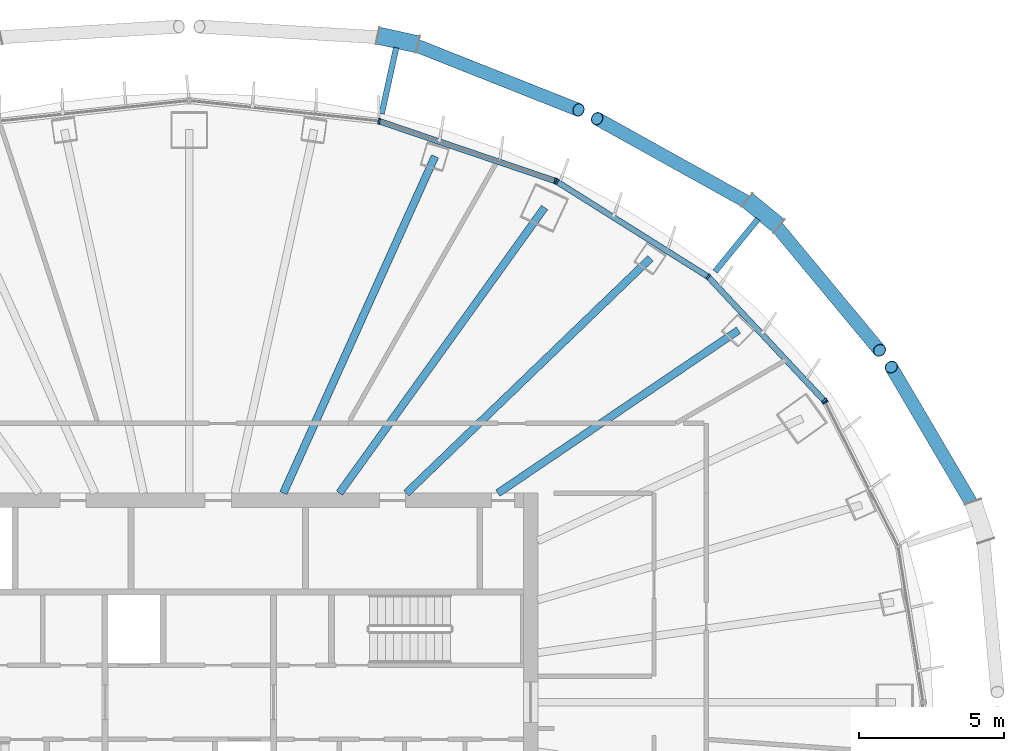
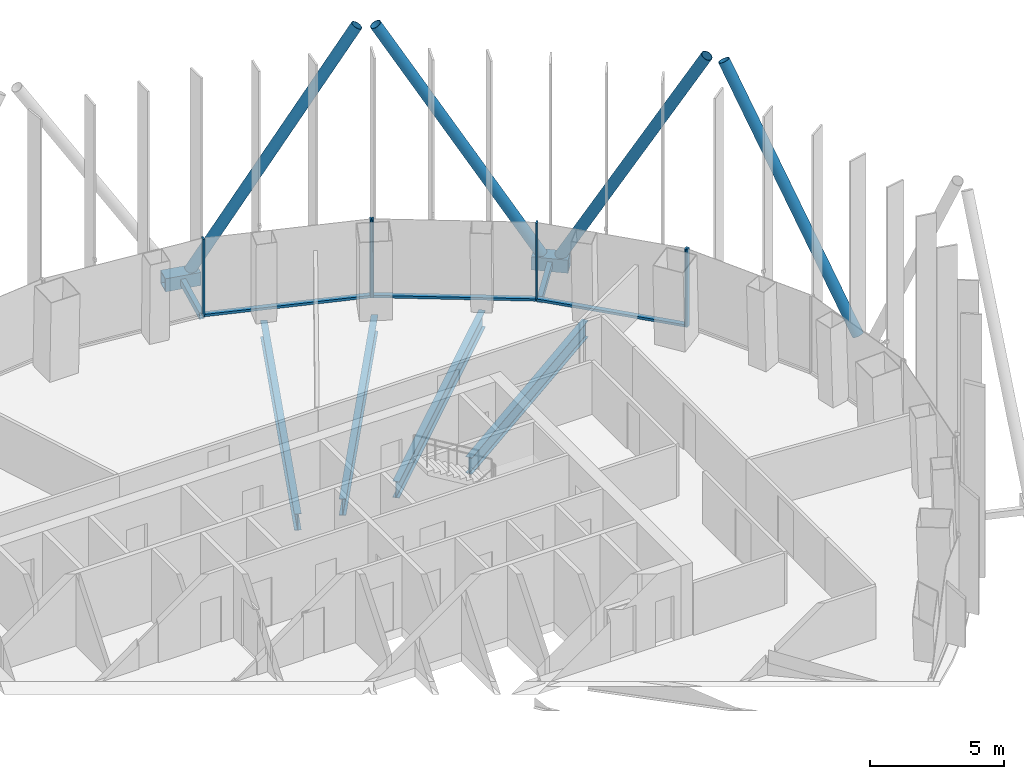
# One storey, part 6 of 19: 17 members, 4 beams, 3 elements without a shape of their own.
"""IFC4 building model written with IfcOpenShell, lengths in metres."""

from ifc_helpers import new_model, si_unit, direction, frame, origin, origin_2d, place, context, subcontext, project, spatial, rectangle, hollow_rectangle, hollow_circle, i_section, extrude, material, layer, layer_set, material_profile, profile_set, type_object, element, aggregate, save


model = new_model("IFC4")

# Units and contexts
model_context = context("Model", 3, precision=1e-05, world=origin(), true_north=direction((0.0, 1.0)))
body_context = subcontext(model_context, "Body", "Model", "MODEL_VIEW")
ifc_project = project(units=[si_unit("LENGTHUNIT", "METRE"), si_unit("AREAUNIT", "SQUARE_METRE"), si_unit("VOLUMEUNIT", "CUBIC_METRE"), si_unit("PLANEANGLEUNIT", "RADIAN"), si_unit("MASSUNIT", "GRAM", prefix="KILO")], contexts=[model_context])

# Site, building, storey
site_placement = place(None, origin())
site = spatial("IfcSite", under=ifc_project, at=site_placement, CompositionType="ELEMENT")
building_placement = place(site_placement, origin())
building = spatial("IfcBuilding", under=site, at=building_placement, Name="Siaravel Broadcast Tower", CompositionType="ELEMENT")
storey_placement = place(building_placement, frame((0.0, 0.0, 119.300048828125)))
storey = spatial("IfcBuildingStorey", under=building, at=storey_placement, Name="L28", CompositionType="ELEMENT", Elevation=119.300048828125)

# Beams
ifc_material_1 = material(Name="Steel S355", Category="steel")
ifc_material_profile_1 = material_profile(ifc_material_1, i_section(OverallWidth=0.26513671875, OverallDepth=0.75390625, WebThickness=0.0126953125, FlangeThickness=0.017578125, FilletRadius=0.0166015625, at=origin_2d()))
ifc_profile_set_1 = profile_set([ifc_material_profile_1], Name="Steel S355")
beam_type = type_object("IfcBeamType", Name="BM-UB 762x267x147", PredefinedType="BEAM", material=ifc_profile_set_1)
beam_1_placement = place(storey_placement, frame((18.90869140625, 12.80810546875, -0.527099609375), z_axis=(-0.827929661, -0.56083195, 0.0), x_axis=(0.56083195, -0.827929661, 0.0)))
element("IfcBeam", 1, at=beam_1_placement, inside=storey, type_object=beam_type, Name="Radial beam RB05", PredefinedType="BEAM", context=body_context, shape_type="SweptSolid", body=[
    extrude(i_section(OverallWidth=0.26513671875, OverallDepth=0.75390625, WebThickness=0.0126953125, FlangeThickness=0.017578125, FilletRadius=0.0166015625, at=origin_2d()), origin(), (0.0, 0.0, 1.0), 9.999755859375),
])
beam_2_placement = place(storey_placement, frame((15.882080078125, 15.286865234375, -0.527099609375), z_axis=(-0.720471293, -0.693484762, 0.0), x_axis=(0.693484762, -0.720471293, 0.0)))
element("IfcBeam", 2, at=beam_2_placement, inside=storey, type_object=beam_type, Name="Radial beam RB06", PredefinedType="BEAM", context=body_context, shape_type="SweptSolid", body=[
    extrude(i_section(OverallWidth=0.26513671875, OverallDepth=0.75390625, WebThickness=0.0126953125, FlangeThickness=0.017578125, FilletRadius=0.0166015625, at=origin_2d()), origin(), (0.0, 0.0, 1.0), 11.661376953125),
])
beam_3_placement = place(storey_placement, frame((12.236328125, 17.032958984375, -0.527099609375), z_axis=(-0.583444902, -0.812152723, 0.0), x_axis=(0.812152723, -0.583444902, 0.0)))
element("IfcBeam", 3, at=beam_3_placement, inside=storey, type_object=beam_type, Name="Radial beam RB07", PredefinedType="BEAM", context=body_context, shape_type="SweptSolid", body=[
    extrude(i_section(OverallWidth=0.26513671875, OverallDepth=0.75390625, WebThickness=0.0126953125, FlangeThickness=0.017578125, FilletRadius=0.0166015625, at=origin_2d()), origin(), (0.0, 0.0, 1.0), 12.107421875),
])
beam_4_placement = place(storey_placement, frame((8.46337890625, 18.794189453125, -0.527099609375), z_axis=(-0.410612147, -0.911810103, 0.0), x_axis=(0.911810103, -0.410612147, 0.0)))
element("IfcBeam", 4, at=beam_4_placement, inside=storey, type_object=beam_type, Name="Radial beam RB08", PredefinedType="BEAM", context=body_context, shape_type="SweptSolid", body=[
    extrude(i_section(OverallWidth=0.26513671875, OverallDepth=0.75390625, WebThickness=0.0126953125, FlangeThickness=0.017578125, FilletRadius=0.0166015625, at=origin_2d()), origin(), (0.0, 0.0, 1.0), 12.715576171875),
])

# Curtain wall, member
ifc_material_2 = material(Name="Aluminium 6063-T6", Category="aluminium")
ifc_layer = layer(ifc_material_2, 0.199951171875)
ifc_layer_set = layer_set([ifc_layer], Name="Aluminium 6063-T6")
curtain_wall_type = type_object("IfcCurtainWallType", Name="Unitised curtain wall, zone 2", PredefinedType="NOTDEFINED", material=ifc_layer_set)
curtain_wall_1_placement = place(storey_placement, origin())
curtain_wall_1 = element("IfcCurtainWall", 5, at=curtain_wall_1_placement, inside=storey, type_object=curtain_wall_type, Name="L28 Unitised curtain wall, zone 2 01", PredefinedType="NOTDEFINED")
ifc_material_profile_2 = material_profile(ifc_material_2, rectangle(XDim=0.199951171875, YDim=0.06494140625, at=origin_2d()))
ifc_profile_set_2 = profile_set([ifc_material_profile_2], Name="Aluminium 6063-T6")
member_type_1 = type_object("IfcMemberType", Name="CW-Z2 mullion", PredefinedType="MULLION", material=ifc_profile_set_2)
member_1_placement = place(storey_placement, frame((21.897705078125, 10.329345703125, 0.0), z_axis=(0.0, 0.0, 1.0), x_axis=(-0.892391979, -0.451261073, 0.0)))
member_1 = element("IfcMember", 6, at=member_1_placement, type_object=member_type_1, Name="CW-Z2 mullion 3", PredefinedType="MULLION", context=body_context, shape_type="SweptSolid", body=[
    extrude(rectangle(XDim=0.199951171875, YDim=0.06494140625, at=origin_2d()), origin(), (0.0, 0.0, 1.0), 3.550048828125),
])
aggregate(curtain_wall_1, [member_1])

# Curtain wall, members
curtain_wall_2_placement = place(storey_placement, origin())
curtain_wall_2 = element("IfcCurtainWall", 7, at=curtain_wall_2_placement, inside=storey, type_object=curtain_wall_type, Name="L28 Unitised curtain wall, zone 2 02", PredefinedType="NOTDEFINED")
member_2_placement = place(storey_placement, frame((21.86083984375, 10.382080078125, 0.0), z_axis=(0.0, 0.0, 1.0), x_axis=(-0.729805105, -0.683655256, 0.0)))
member_2 = element("IfcMember", 8, at=member_2_placement, type_object=member_type_1, Name="CW-Z2 mullion 1", PredefinedType="MULLION", context=body_context, shape_type="SweptSolid", body=[
    extrude(rectangle(XDim=0.199951171875, YDim=0.06494140625, at=origin_2d()), origin(), (0.0, 0.0, 1.0), 3.550048828125),
])
member_3_placement = place(storey_placement, frame((17.86572265625, 14.646728515625, 0.0), z_axis=(0.0, 0.0, 1.0), x_axis=(-0.636218518, -0.771508909, 0.0)))
member_3 = element("IfcMember", 9, at=member_3_placement, type_object=member_type_1, Name="CW-Z2 mullion 2", PredefinedType="MULLION", context=body_context, shape_type="SweptSolid", body=[
    extrude(rectangle(XDim=0.199951171875, YDim=0.06494140625, at=origin_2d()), origin(), (0.0, 0.0, 1.0), 3.550048828125),
])
member_4_placement = place(storey_placement, frame((12.659423828125, 17.9189453125, 0.0), z_axis=(0.0, 0.0, 1.0), x_axis=(-0.532149141, -0.846650632, 0.0)))
member_4 = element("IfcMember", 10, at=member_4_placement, type_object=member_type_1, Name="CW-Z2 mullion 3", PredefinedType="MULLION", context=body_context, shape_type="SweptSolid", body=[
    extrude(rectangle(XDim=0.199951171875, YDim=0.06494140625, at=origin_2d()), origin(), (0.0, 0.0, 1.0), 3.550048828125),
])

curtain_wall_3_placement = place(storey_placement, origin())
curtain_wall_3 = element("IfcCurtainWall", 11, at=curtain_wall_3_placement, inside=storey, type_object=curtain_wall_type, Name="L28 Unitised curtain wall, zone 2 03", PredefinedType="NOTDEFINED")
member_5_placement = place(storey_placement, frame((12.60107421875, 17.94677734375, 0.0), z_axis=(0.0, 0.0, 1.0), x_axis=(-0.321300596, -0.946977258, 0.0)))
member_5 = element("IfcMember", 12, at=member_5_placement, type_object=member_type_1, Name="CW-Z2 mullion 1", PredefinedType="MULLION", context=body_context, shape_type="SweptSolid", body=[
    extrude(rectangle(XDim=0.199951171875, YDim=0.06494140625, at=origin_2d()), origin(), (0.0, 0.0, 1.0), 3.550048828125),
])
member_6_placement = place(storey_placement, frame((6.538330078125, 20.00390625, 0.0), z_axis=(0.0, 0.0, 1.0), x_axis=(-0.215558052, -0.976491027, 0.0)))
member_6 = element("IfcMember", 13, at=member_6_placement, type_object=member_type_1, Name="CW-Z2 mullion 2", PredefinedType="MULLION", context=body_context, shape_type="SweptSolid", body=[
    extrude(rectangle(XDim=0.199951171875, YDim=0.06494140625, at=origin_2d()), origin(), (0.0, 0.0, 1.0), 3.550048828125),
])

# Member
ifc_material_profile_3 = material_profile(ifc_material_2, rectangle(XDim=0.199951171875, YDim=0.110107421875, at=origin_2d()))
ifc_profile_set_3 = profile_set([ifc_material_profile_3], Name="Aluminium 6063-T6")
member_type_2 = type_object("IfcMemberType", Name="CW-Z2 transom", PredefinedType="USERDEFINED", material=ifc_profile_set_3)
member_7_placement = place(storey_placement, frame((21.83837890625, 10.40576171875, 0.054931640625), z_axis=(-0.683640317, 0.729819099, 0.0), x_axis=(-0.729819099, -0.683640317, 0.0)))
member_7 = element("IfcMember", 14, at=member_7_placement, type_object=member_type_2, Name="CW-Z2 transom 1", ObjectType="TRANSOM", PredefinedType="USERDEFINED", context=body_context, shape_type="SweptSolid", body=[
    extrude(rectangle(XDim=0.199951171875, YDim=0.110107421875, at=origin_2d()), origin(), (0.0, 0.0, 1.0), 5.778564453125),
])

member_8_placement = place(storey_placement, frame((17.838134765625, 14.6640625, 0.054931640625), z_axis=(-0.846658761, 0.532136207, 0.0), x_axis=(-0.532136207, -0.846658761, 0.0)))
member_8 = element("IfcMember", 15, at=member_8_placement, type_object=member_type_2, Name="CW-Z2 transom 2", ObjectType="TRANSOM", PredefinedType="USERDEFINED", context=body_context, shape_type="SweptSolid", body=[
    extrude(rectangle(XDim=0.199951171875, YDim=0.110107421875, at=origin_2d()), origin(), (0.0, 0.0, 1.0), 6.083984375),
])

aggregate(curtain_wall_2, [member_2, member_3, member_4, member_7, member_8])

member_9_placement = place(storey_placement, frame((12.5703125, 17.957275390625, 0.054931640625), z_axis=(-0.946978491, 0.321296962, 0.0), x_axis=(-0.321296962, -0.946978491, 0.0)))
member_9 = element("IfcMember", 16, at=member_9_placement, type_object=member_type_2, Name="CW-Z2 transom 1", ObjectType="TRANSOM", PredefinedType="USERDEFINED", context=body_context, shape_type="SweptSolid", body=[
    extrude(rectangle(XDim=0.199951171875, YDim=0.110107421875, at=origin_2d()), origin(), (0.0, 0.0, 1.0), 6.337158203125),
])

aggregate(curtain_wall_3, [member_5, member_6, member_9])

# Members
ifc_material_3 = material(Name="Steel S460", Category="steel")
ifc_material_profile_4 = material_profile(ifc_material_3, hollow_circle(Radius=0.228515625, WallThickness=0.02001953125, at=origin_2d()))
ifc_profile_set_4 = profile_set([ifc_material_profile_4], Name="Steel S460")
member_type_3 = type_object("IfcMemberType", Name="Diagrid diagonal CHS 457x20", PredefinedType="BRACE", material=ifc_profile_set_4)
member_10_placement = place(storey_placement, frame((27.0947265625, 6.570556640625, 0.070068359375), z_axis=(-0.243110195, 0.413049923, 0.877660067), x_axis=(-0.861806851, -0.507236583, 0.0)))
element("IfcMember", 17, at=member_10_placement, inside=storey, type_object=member_type_3, Name="Diagrid diagonal R12 station 03A", PredefinedType="BRACE", context=body_context, shape_type="SweptSolid", body=[
    extrude(hollow_circle(Radius=0.228515625, WallThickness=0.02001953125, at=origin_2d()), origin(), (0.0, 0.0, 1.0), 12.03173828125),
])
member_11_placement = place(storey_placement, frame((20.02490234375, 16.619384765625, 0.070068359375), z_axis=(0.309745387, -0.373093666, 0.874562126), x_axis=(0.769402538, 0.638764225, 0.0)))
element("IfcMember", 18, at=member_11_placement, inside=storey, type_object=member_type_3, Name="Diagrid diagonal R12 station 09C", PredefinedType="BRACE", context=body_context, shape_type="SweptSolid", body=[
    extrude(hollow_circle(Radius=0.228515625, WallThickness=0.02001953125, at=origin_2d()), origin(), (0.0, 0.0, 1.0), 12.074462890625),
])
member_12_placement = place(storey_placement, frame((19.4814453125, 17.064453125, 0.070068359375), z_axis=(-0.443890215, 0.246908829, 0.861392772), x_axis=(-0.486098934, -0.873903786, 0.0)))
element("IfcMember", 19, at=member_12_placement, inside=storey, type_object=member_type_3, Name="Diagrid diagonal R12 station 09A", PredefinedType="BRACE", context=body_context, shape_type="SweptSolid", body=[
    extrude(hollow_circle(Radius=0.228515625, WallThickness=0.02001953125, at=origin_2d()), origin(), (0.0, 0.0, 1.0), 12.259033203125),
])
member_13_placement = place(storey_placement, frame((7.527587890625, 22.72314453125, 0.070068359375), z_axis=(0.477496257, -0.189415577, 0.857973813), x_axis=(0.368732724, 0.929535464, 0.0)))
element("IfcMember", 20, at=member_13_placement, inside=storey, type_object=member_type_3, Name="Diagrid diagonal R12 station 15C", PredefinedType="BRACE", context=body_context, shape_type="SweptSolid", body=[
    extrude(hollow_circle(Radius=0.228515625, WallThickness=0.02001953125, at=origin_2d()), origin(), (0.0, 0.0, 1.0), 12.307861328125),
])
ifc_material_profile_5 = material_profile(ifc_material_3, hollow_rectangle(XDim=0.60009765625, YDim=0.60009765625, WallThickness=0.0400390625, at=origin_2d()))
ifc_profile_set_5 = profile_set([ifc_material_profile_5], Name="Steel S460")
member_type_4 = type_object("IfcMemberType", Name="Diagrid node BOX 600x600x40", PredefinedType="USERDEFINED", material=ifc_profile_set_5)
for number, where, z_axis, x_axis, name in (
    (21, (20.294677734375, 16.3984375, -0.199951171875), (-0.773584133, 0.633693609, 0.0), (-0.633693609, -0.773584133, 0.0), "Diagrid node R12 station 09"),
    (22, (7.8681640625, 22.6484375, -0.199951171875), (-0.976754142, 0.21436265, 0.0), (-0.21436265, -0.976754142, 0.0), "Diagrid node R12 station 15"),
):
    element("IfcMember", number, at=place(storey_placement, frame(where, z_axis=z_axis, x_axis=x_axis)), inside=storey, type_object=member_type_4, Name=name, ObjectType="DIAGRID NODE", PredefinedType="USERDEFINED", context=body_context, shape_type="SweptSolid", body=[
        extrude(hollow_rectangle(XDim=0.60009765625, YDim=0.60009765625, WallThickness=0.0400390625, at=origin_2d()), origin(), (0.0, 0.0, 1.0), 1.399658203125),
    ])
ifc_material_profile_6 = material_profile(ifc_material_3, hollow_rectangle(XDim=0.199951171875, YDim=0.300048828125, WallThickness=0.012451171875, at=origin_2d()))
ifc_profile_set_6 = profile_set([ifc_material_profile_6], Name="Steel S460")
member_type_5 = type_object("IfcMemberType", Name="Diagrid node arm RHS 300x200x12.5", PredefinedType="STRUT", material=ifc_profile_set_6)
member_14_placement = place(storey_placement, frame((18.105712890625, 14.83056640625, -0.199951171875), z_axis=(0.633637135, 0.77363039, 0.0), x_axis=(-0.77363039, 0.633637135, 0.0)))
element("IfcMember", 23, at=member_14_placement, inside=storey, type_object=member_type_5, Name="Node arm R12 station 09", PredefinedType="STRUT", context=body_context, shape_type="SweptSolid", body=[
    extrude(hollow_rectangle(XDim=0.199951171875, YDim=0.300048828125, WallThickness=0.012451171875, at=origin_2d()), origin(), (0.0, 0.0, 1.0), 2.329833984375),
])
member_15_placement = place(storey_placement, frame((6.627197265625, 20.2587890625, -0.199951171875), z_axis=(0.2143561, 0.97675558, 0.0), x_axis=(-0.97675558, 0.2143561, 0.0)))
element("IfcMember", 24, at=member_15_placement, inside=storey, type_object=member_type_5, Name="Node arm R12 station 15", PredefinedType="STRUT", context=body_context, shape_type="SweptSolid", body=[
    extrude(hollow_rectangle(XDim=0.199951171875, YDim=0.300048828125, WallThickness=0.012451171875, at=origin_2d()), origin(), (0.0, 0.0, 1.0), 2.330322265625),
])

save(model, "model.ifc")
